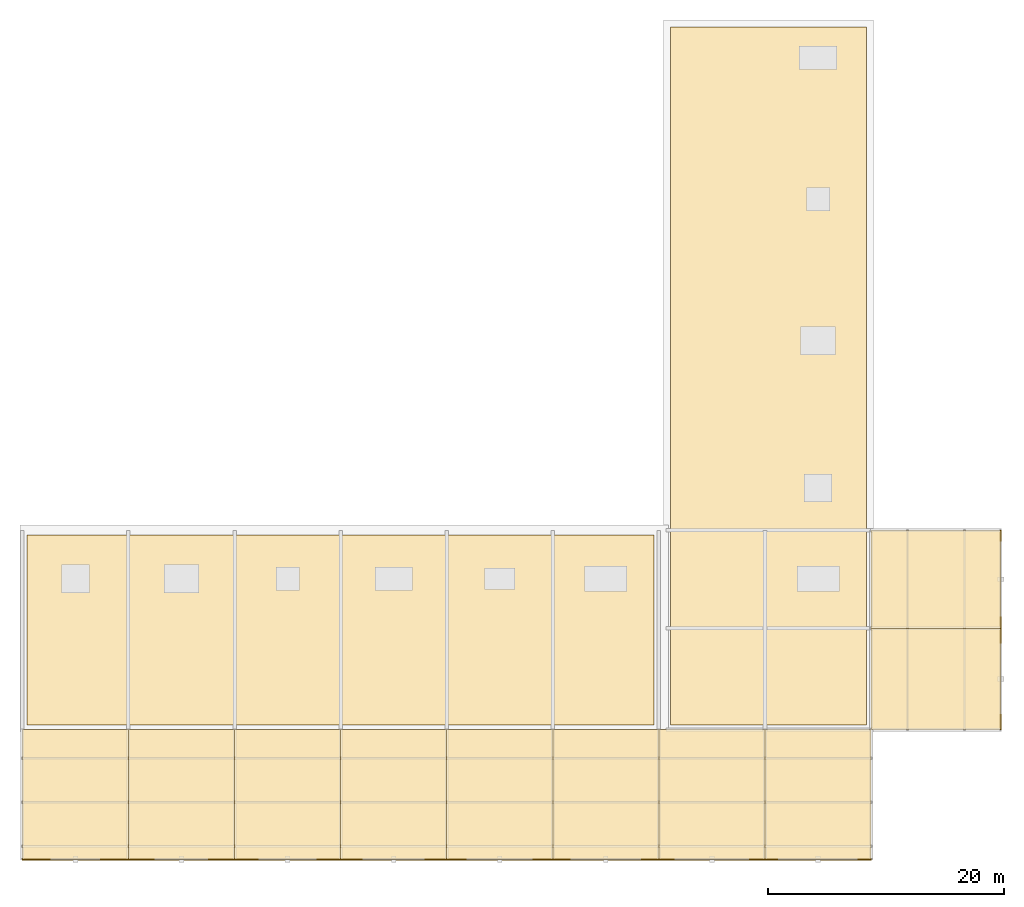
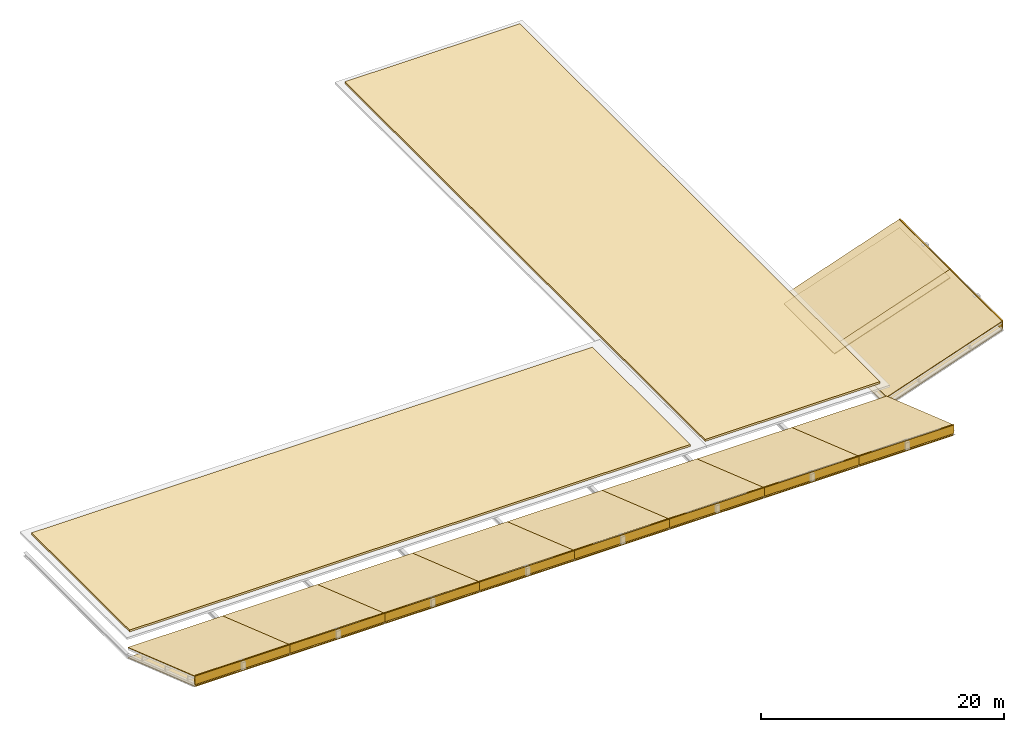
# One storey, part 3 of 3: 42 coverings.
"""IFC4 building model written with IfcOpenShell, lengths in metres."""

import ifcopenshell
import ifcopenshell.guid

model = None  # the IFC model being written
_history = None  # IfcOwnerHistory: only IFC2X3 demands one
_inside = {}  # id of a spatial element -> (the spatial element, [elements in it])
_under = {}  # id of a project, library or spatial element -> (it, [spatial elements below it])
_declared = {}  # id of a project -> (the project, [libraries it declares])
_typed = {}  # id of a type object -> (the type object, [elements of that type])
_made_of = {}  # id of a material, layer set ... -> (it, [elements and type objects made of it])


def new_model(schema):
    """Start an empty IFC model of exactly this schema.

    Asked for "IFC4X3", IfcOpenShell would pick the latest addendum, in which some entities
    have other attributes; the version numbers below select the first issue.
    IFC2X3 requires an IfcOwnerHistory on every rooted entity: one is made here for all.
    """
    global model, _history
    if schema == "IFC4X3":
        model = ifcopenshell.file(schema_version=(4, 3, 0, 0))
    else:
        model = ifcopenshell.file(schema=schema)
    _inside.clear()
    _under.clear()
    _declared.clear()
    _typed.clear()
    _made_of.clear()
    _history = None
    if model.schema == "IFC2X3":
        org = make("IfcOrganization", Name="unknown")
        user = make(
            "IfcPersonAndOrganization",
            ThePerson=make("IfcPerson", FamilyName="unknown"),
            TheOrganization=org,
        )
        app = make(
            "IfcApplication",
            ApplicationDeveloper=org,
            Version="unknown",
            ApplicationFullName="unknown",
            ApplicationIdentifier="unknown",
        )
        _history = make(
            "IfcOwnerHistory",
            OwningUser=user,
            OwningApplication=app,
            ChangeAction="ADDED",
            CreationDate=0,
        )
    return model


def make(cls, **values):
    """One entity of the class cls with the attributes given. An attribute that is None is left unset."""
    return model.create_entity(
        cls, **{name: value for name, value in values.items() if value is not None}
    )


def rooted(cls, **values):
    """An entity with a GlobalId (a new one), such as an element, a storey or a relation."""
    return make(cls, GlobalId=ifcopenshell.guid.new(), OwnerHistory=_history, **values)


def si_unit(unit_type, name, prefix=None):
    """IfcSIUnit, for example si_unit("LENGTHUNIT", "METRE", prefix="MILLI")."""
    return make("IfcSIUnit", UnitType=unit_type, Prefix=prefix, Name=name)


def assignment(units):
    """IfcUnitAssignment: the units of a project."""
    return None if units is None else make("IfcUnitAssignment", Units=units)


def point(xyz):
    """IfcCartesianPoint."""
    return None if xyz is None else make("IfcCartesianPoint", Coordinates=xyz)


def direction(xyz):
    """IfcDirection."""
    return None if xyz is None else make("IfcDirection", DirectionRatios=xyz)


def frame(location, z_axis=None, x_axis=None):
    """IfcAxis2Placement3D, a coordinate frame: its origin and axes. An axis left out is left unset."""
    return make(
        "IfcAxis2Placement3D",
        Location=point(location),
        Axis=direction(z_axis),
        RefDirection=direction(x_axis),
    )


def frame_2d(location, x_axis=None):
    """IfcAxis2Placement2D, a coordinate frame in the plane: its origin and x axis."""
    return make(
        "IfcAxis2Placement2D", Location=point(location), RefDirection=direction(x_axis)
    )


def origin():
    """The frame at (0, 0, 0) with its axes left unset."""
    return frame((0.0, 0.0, 0.0))


def origin_2d():
    """The frame at (0, 0) in the plane with its x axis left unset."""
    return frame_2d((0.0, 0.0))


def place(relative_to, where):
    """IfcLocalPlacement: puts the frame where relative to a parent placement (None: the world)."""
    return make(
        "IfcLocalPlacement", PlacementRelTo=relative_to, RelativePlacement=where
    )


def context(
    kind, dimensions, precision=None, world=None, true_north=None, identifier=None
):
    """IfcGeometricRepresentationContext, for example the 3D "Model" context."""
    return make(
        "IfcGeometricRepresentationContext",
        ContextIdentifier=identifier,
        ContextType=kind,
        CoordinateSpaceDimension=dimensions,
        Precision=precision,
        WorldCoordinateSystem=world,
        TrueNorth=true_north,
    )


def subcontext(parent, identifier, kind, view, scale=None):
    """IfcGeometricRepresentationSubContext, for example "Body" below "Model"."""
    return make(
        "IfcGeometricRepresentationSubContext",
        ContextIdentifier=identifier,
        ContextType=kind,
        ParentContext=parent,
        TargetScale=scale,
        TargetView=view,
    )


def project(units=None, contexts=None):
    """IfcProject with its units and contexts."""
    return rooted(
        "IfcProject",
        Name="project",
        RepresentationContexts=contexts,
        UnitsInContext=assignment(units),
    )


def spatial(cls, under=None, at=None, **own):
    """A site, building, storey or space (cls), placed at a placement, below another one or the project."""
    s = rooted(cls, ObjectPlacement=at, **own)
    if under is not None:
        _under.setdefault(under.id(), (under, []))[1].append(s)
    return s


def polyline(points):
    """IfcPolyline through the points."""
    return make("IfcPolyline", Points=[point(p) for p in points])


def profile(cls, at=None, kind="AREA", **sizes):
    """A parametric profile (cls). Its sizes go by their IFC names, for example OverallWidth=200.0."""
    return make(cls, ProfileType=kind, Position=at, **sizes)


def rectangle(**sizes):
    """IfcRectangleProfileDef."""
    return profile("IfcRectangleProfileDef", **sizes)


def outline(outer, holes=None, kind="AREA"):
    """IfcArbitraryClosedProfileDef: a profile drawn as a closed curve; with holes, ...WithVoids."""
    if holes is None:
        return make("IfcArbitraryClosedProfileDef", ProfileType=kind, OuterCurve=outer)
    return make(
        "IfcArbitraryProfileDefWithVoids",
        ProfileType=kind,
        OuterCurve=outer,
        InnerCurves=holes,
    )


def extrude(swept, where, along, depth):
    """IfcExtrudedAreaSolid: the profile swept, set in the frame where, extruded along a direction by depth."""
    return make(
        "IfcExtrudedAreaSolid",
        SweptArea=swept,
        Position=where,
        ExtrudedDirection=direction(along),
        Depth=depth,
    )


def shape(context_of_items, identifier, shape_type, items):
    """IfcShapeRepresentation: the items that make up one representation, for example the "Body"."""
    return make(
        "IfcShapeRepresentation",
        ContextOfItems=context_of_items,
        RepresentationIdentifier=identifier,
        RepresentationType=shape_type,
        Items=items,
    )


def material(Name=None, Category=None):
    """IfcMaterial."""
    return make("IfcMaterial", Name=Name, Category=Category)


def layer(
    of_material, thickness, ventilated=None, Name=None, Category=None, Priority=None
):
    """IfcMaterialLayer: one layer of a wall or slab, of a material (None: an air gap)."""
    return make(
        "IfcMaterialLayer",
        Material=of_material,
        LayerThickness=thickness,
        IsVentilated=ventilated,
        Name=Name,
        Category=Category,
        Priority=Priority,
    )


def layer_set(layers, Name=None):
    """IfcMaterialLayerSet."""
    return make("IfcMaterialLayerSet", MaterialLayers=layers, LayerSetName=Name)


def made_of(thing, what):
    """Note that an element or type object is made of a material, layer set ...; save() writes the relation."""
    if what is not None:
        _made_of.setdefault(what.id(), (what, []))[1].append(thing)
    return thing


def type_object(cls, material=None, **own):
    """A type object (cls), such as IfcWallType, which elements share."""
    return made_of(rooted(cls, **own), material)


def element(
    cls,
    number,
    at=None,
    inside=None,
    cuts=None,
    type_object=None,
    material=None,
    context=None,
    identifier="Body",
    shape_type=None,
    held_by="IfcProductDefinitionShape",
    body=None,
    shapes=None,
    **own,
):
    """One element of the class cls, such as IfcWall. Its Tag is "e" and its number.

    at: its placement. inside: the storey or other place that contains it. cuts: it is an
    opening in that element (IfcRelVoidsElement). A single representation is given by context,
    identifier, shape_type and body (its items); several are given by shapes. held_by: the class
    of the entity that holds the representations. save() writes the other relations.
    """
    e = rooted(cls, Tag="e%d" % number, ObjectPlacement=at, **own)
    if body is not None:
        shapes = [shape(context, identifier, shape_type, body)]
    if shapes is not None:
        e.Representation = make(held_by, Representations=shapes)
    if inside is not None:
        _inside.setdefault(inside.id(), (inside, []))[1].append(e)
    if cuts is not None:
        rooted(
            "IfcRelVoidsElement", RelatingBuildingElement=cuts, RelatedOpeningElement=e
        )
    if type_object is not None:
        _typed.setdefault(type_object.id(), (type_object, []))[1].append(e)
    return made_of(e, material)


def aggregate(whole, parts):
    """IfcRelAggregates: a whole, such as a stair, and the parts it consists of."""
    return rooted("IfcRelAggregates", RelatingObject=whole, RelatedObjects=parts)


def save(model, path):
    """Write the relations noted so far, then the file.

    IfcRelAggregates (storeys below a building ...), IfcRelContainedInSpatialStructure (elements
    in a storey), IfcRelDefinesByType, IfcRelAssociatesMaterial and IfcRelDeclares: one each for
    every whole, place, type object, material and project.
    """
    for whole, parts in _under.values():
        aggregate(whole, parts)
    for where, things in _inside.values():
        rooted(
            "IfcRelContainedInSpatialStructure",
            RelatedElements=things,
            RelatingStructure=where,
        )
    for kind, things in _typed.values():
        rooted("IfcRelDefinesByType", RelatedObjects=things, RelatingType=kind)
    for what, things in _made_of.values():
        rooted("IfcRelAssociatesMaterial", RelatedObjects=things, RelatingMaterial=what)
    for by, libraries in _declared.values():
        rooted("IfcRelDeclares", RelatingContext=by, RelatedDefinitions=libraries)
    model.write(path)


model = new_model("IFC4")

# Units and contexts
model_context = context("Model", 3, precision=1e-05, world=origin(), true_north=direction((0.0, 1.0)))
body_context = subcontext(model_context, "Body", "Model", "MODEL_VIEW")
ifc_project = project(units=[si_unit("LENGTHUNIT", "METRE"), si_unit("AREAUNIT", "SQUARE_METRE"), si_unit("VOLUMEUNIT", "CUBIC_METRE"), si_unit("PLANEANGLEUNIT", "RADIAN"), si_unit("MASSUNIT", "GRAM", prefix="KILO")], contexts=[model_context])

# Site, building, storey
site_placement = place(None, origin())
site = spatial("IfcSite", under=ifc_project, at=site_placement, CompositionType="ELEMENT")
building_placement = place(site_placement, origin())
building = spatial("IfcBuilding", under=site, at=building_placement, Name="Kaldris Quays Convention Centre", CompositionType="ELEMENT")
storey_placement = place(building_placement, frame((0.0, 0.0, 26.39990234375)))
storey = spatial("IfcBuildingStorey", under=building, at=storey_placement, Name="RF", CompositionType="ELEMENT", Elevation=26.39990234375)

# Coverings
ifc_material_1 = material(Name="Alabaster white star-pierced anodized aluminium panel", Category="aluminium")
ifc_layer_1 = layer(ifc_material_1, 0.054931640625)
ifc_layer_set_1 = layer_set([ifc_layer_1], Name="Alabaster white star-pierced anodized aluminium panel")
covering_type_1 = type_object("IfcCoveringType", Name="ALABASTER WHITE STANDING SEAM ROOF SRF1", PredefinedType="ROOFING", material=ifc_layer_set_1)
for number, where, z_axis, x_axis, name in (
    (1, (92.0, 27.0, 2.64306640625), (0.0, 0.325567686474, 0.945518736739), (1.0, 0.0, 0.0), "WR-SOUTH-CROWN Alabaster White Raised Wing Top Cladding 2"),
    (2, (101.0, 27.0, 2.64306640625), (0.0, 0.325567686474, 0.945518736739), (1.0, 0.0, 0.0), "WR-SOUTH-CROWN Alabaster White Raised Wing Top Cladding 3"),
    (3, (110.0, 27.0, 2.64306640625), (0.0, 0.325567686474, 0.945518736739), (1.0, 0.0, 0.0), "WR-SOUTH-CROWN Alabaster White Raised Wing Top Cladding 4"),
    (4, (119.0, 27.0, 2.64306640625), (0.0, 0.325567686474, 0.945518736739), (1.0, 0.0, 0.0), "WR-SOUTH-CROWN Alabaster White Raised Wing Top Cladding 5"),
    (5, (128.0, 27.0, 2.64306640625), (0.0, 0.325567686474, 0.945518736739), (1.0, 0.0, 0.0), "WR-SOUTH-CROWN Alabaster White Raised Wing Top Cladding 6"),
    (6, (137.0, 27.0, 2.64306640625), (0.0, 0.325567686474, 0.945518736739), (1.0, 0.0, 0.0), "WR-SOUTH-CROWN Alabaster White Raised Wing Top Cladding 7"),
    (7, (146.0, 27.0, 2.64306640625), (0.0, 0.325567686474, 0.945518736739), (1.0, 0.0, 0.0), "WR-SOUTH-CROWN Alabaster White Raised Wing Top Cladding 8"),
    (8, (155.0, 27.0, 2.64306640625), (0.0, 0.325567686474, 0.945518736739), (1.0, 0.0, 0.0), "WR-SOUTH-CROWN Alabaster White Raised Wing Top Cladding 9"),
):
    element("IfcCovering", number, at=place(storey_placement, frame(where, z_axis=z_axis, x_axis=x_axis)), inside=storey, type_object=covering_type_1, Name=name, PredefinedType="ROOFING", context=body_context, shape_type="SweptSolid", body=[
        extrude(outline(polyline([(0.0, 0.0), (9.0, 0.0), (9.0, 11.633825510365472), (0.0, 11.633825510365472), (0.0, 0.0)])), origin(), (0.0, 0.0, -1.0), 0.054931640625),
    ])
covering_1_placement = place(storey_placement, frame((164.0, 38.0, -1.254638671875), z_axis=(-0.325567686474, 0.0, 0.945518736739), x_axis=(0.945518736739, 0.0, 0.325567686474)))
element("IfcCovering", 9, at=covering_1_placement, inside=storey, type_object=covering_type_1, Name="WR-EAST Alabaster White Raised Wing Top Cladding 17", PredefinedType="ROOFING", context=body_context, shape_type="SweptSolid", body=[
    extrude(outline(polyline([(0.0, 0.0), (11.633825510365476, 0.0), (11.633825510365476, 8.600097656250002), (0.0, 8.600097656250002), (0.0, 0.0)])), origin(), (0.0, 0.0, -1.0), 0.054931640625),
])
covering_2_placement = place(storey_placement, frame((164.0, 46.60009765625, -1.254638671875), z_axis=(-0.325567686474, 0.0, 0.945518736739), x_axis=(0.945518736739, 0.0, 0.325567686474)))
element("IfcCovering", 10, at=covering_2_placement, inside=storey, type_object=covering_type_1, Name="WR-EAST Alabaster White Raised Wing Top Cladding 18", PredefinedType="ROOFING", context=body_context, shape_type="SweptSolid", body=[
    extrude(outline(polyline([(0.0, 0.0), (11.633825510365476, 0.0), (11.633825510365476, 8.2998046875), (0.0, 8.2998046875), (0.0, 0.0)])), origin(), (0.0, 0.0, -1.0), 0.054931640625),
])
ifc_material_2 = material(Name="Planted Basler Dachsubstrat mineral green roof", Category="earth")
ifc_layer_2 = layer(ifc_material_2, 0.199951171875)
ifc_layer_set_2 = layer_set([ifc_layer_2], Name="Planted Basler Dachsubstrat mineral green roof")
covering_type_2 = type_object("IfcCoveringType", Name="BASEL NATIVE GREEN ROOF SUBSTRATE GRF1", PredefinedType="ROOFING", material=ifc_layer_set_2)
covering_3_placement = place(storey_placement, origin())
element("IfcCovering", 11, at=covering_3_placement, inside=storey, type_object=covering_type_2, Name="RF Basler Dachsubstrat Green Roof 5", PredefinedType="ROOFING", context=body_context, shape_type="SweptSolid", body=[
    extrude(outline(polyline([(92.39990234375, 38.39990234375), (145.60009765625, 38.39990234375), (145.60009765625, 54.5), (92.39990234375, 54.5), (92.39990234375, 38.39990234375)])), origin(), (0.0, 0.0, 1.0), 0.2001953125),
])
covering_4_placement = place(storey_placement, origin())
element("IfcCovering", 12, at=covering_4_placement, inside=storey, type_object=covering_type_2, Name="RF Basler Dachsubstrat Green Roof 6", PredefinedType="ROOFING", context=body_context, shape_type="SweptSolid", body=[
    extrude(outline(polyline([(147.0, 38.39990234375), (163.60009765625, 38.39990234375), (163.60009765625, 97.60009765625), (147.0, 97.60009765625), (147.0, 38.39990234375)])), origin(), (0.0, 0.0, 1.0), 0.2001953125),
])
ifc_material_3 = material(Name="Glulam GL28h", Category="wood")
ifc_layer_3 = layer(ifc_material_3, 0.0400390625)
ifc_layer_set_3 = layer_set([ifc_layer_3], Name="Glulam GL28h")
covering_type_3 = type_object("IfcCoveringType", Name="GLULAM WING SOFFIT TRIM SF02", PredefinedType="CEILING", material=ifc_layer_set_3)
for number, where, z_axis, x_axis, name in (
    (13, (92.0, 27.0, 1.6005859375), (0.0, 0.325567686474, 0.945518736739), (1.0, 0.0, 0.0), "WR-SOUTH-CROWN Glulam GL28h Wing Soffit Trim 2"),
    (14, (101.0, 27.0, 1.6005859375), (0.0, 0.325567686474, 0.945518736739), (1.0, 0.0, 0.0), "WR-SOUTH-CROWN Glulam GL28h Wing Soffit Trim 3"),
    (15, (110.0, 27.0, 1.6005859375), (0.0, 0.325567686474, 0.945518736739), (1.0, 0.0, 0.0), "WR-SOUTH-CROWN Glulam GL28h Wing Soffit Trim 4"),
    (16, (119.0, 27.0, 1.6005859375), (0.0, 0.325567686474, 0.945518736739), (1.0, 0.0, 0.0), "WR-SOUTH-CROWN Glulam GL28h Wing Soffit Trim 5"),
    (17, (128.0, 27.0, 1.6005859375), (0.0, 0.325567686474, 0.945518736739), (1.0, 0.0, 0.0), "WR-SOUTH-CROWN Glulam GL28h Wing Soffit Trim 6"),
    (18, (137.0, 27.0, 1.6005859375), (0.0, 0.325567686474, 0.945518736739), (1.0, 0.0, 0.0), "WR-SOUTH-CROWN Glulam GL28h Wing Soffit Trim 7"),
    (19, (146.0, 27.0, 1.6005859375), (0.0, 0.325567686474, 0.945518736739), (1.0, 0.0, 0.0), "WR-SOUTH-CROWN Glulam GL28h Wing Soffit Trim 8"),
    (20, (155.0, 27.0, 1.6005859375), (0.0, 0.325567686474, 0.945518736739), (1.0, 0.0, 0.0), "WR-SOUTH-CROWN Glulam GL28h Wing Soffit Trim 9"),
):
    element("IfcCovering", number, at=place(storey_placement, frame(where, z_axis=z_axis, x_axis=x_axis)), inside=storey, type_object=covering_type_3, Name=name, PredefinedType="CEILING", context=body_context, shape_type="SweptSolid", body=[
        extrude(outline(polyline([(0.0, 0.0), (9.0, 0.0), (9.0, 11.633825510365472), (0.0, 11.633825510365472), (0.0, 0.0)])), origin(), (0.0, 0.0, -1.0), 0.0400390625),
    ])
covering_5_placement = place(storey_placement, frame((164.0, 38.0, -2.156982421875), z_axis=(-0.325567686474, 0.0, 0.945518736739), x_axis=(0.945518736739, 0.0, 0.325567686474)))
element("IfcCovering", 21, at=covering_5_placement, inside=storey, type_object=covering_type_3, Name="WR-EAST Glulam GL28h Wing Soffit Trim 17", PredefinedType="CEILING", context=body_context, shape_type="SweptSolid", body=[
    extrude(outline(polyline([(0.0, 0.0), (11.633825510365476, 0.0), (11.633825510365476, 8.600097656250002), (0.0, 8.600097656250002), (0.0, 0.0)])), origin(), (0.0, 0.0, -1.0), 0.0400390625),
])
covering_6_placement = place(storey_placement, frame((164.0, 46.60009765625, -2.156982421875), z_axis=(-0.325567686474, 0.0, 0.945518736739), x_axis=(0.945518736739, 0.0, 0.325567686474)))
element("IfcCovering", 22, at=covering_6_placement, inside=storey, type_object=covering_type_3, Name="WR-EAST Glulam GL28h Wing Soffit Trim 18", PredefinedType="CEILING", context=body_context, shape_type="SweptSolid", body=[
    extrude(outline(polyline([(0.0, 0.0), (11.633825510365476, 0.0), (11.633825510365476, 8.2998046875), (0.0, 8.2998046875), (0.0, 0.0)])), origin(), (0.0, 0.0, -1.0), 0.0400390625),
])
ifc_layer_4 = layer(ifc_material_1, 0.044921875)
ifc_layer_set_4 = layer_set([ifc_layer_4], Name="Alabaster white star-pierced anodized aluminium panel")
covering_type_4 = type_object("IfcCoveringType", Name="STAR PIERCED WHITE FOLDED SCREEN CL01", PredefinedType="CLADDING", material=ifc_layer_set_4)
for number, where, z_axis, x_axis, name in (
    (23, (96.5, 27.0, 1.81298828125), (0.0, 0.0, 1.0), (1.0, 0.0, 0.0), "WR-SOUTH-CROWN Alabaster White Wing Leading Fascia 2"),
    (24, (105.5, 27.0, 1.81298828125), (0.0, 0.0, 1.0), (1.0, 0.0, 0.0), "WR-SOUTH-CROWN Alabaster White Wing Leading Fascia 3"),
    (25, (114.5, 27.0, 1.81298828125), (0.0, 0.0, 1.0), (1.0, 0.0, 0.0), "WR-SOUTH-CROWN Alabaster White Wing Leading Fascia 4"),
    (26, (123.5, 27.0, 1.81298828125), (0.0, 0.0, 1.0), (1.0, 0.0, 0.0), "WR-SOUTH-CROWN Alabaster White Wing Leading Fascia 5"),
    (27, (132.5, 27.0, 1.81298828125), (0.0, 0.0, 1.0), (1.0, 0.0, 0.0), "WR-SOUTH-CROWN Alabaster White Wing Leading Fascia 6"),
    (28, (141.5, 27.0, 1.81298828125), (0.0, 0.0, 1.0), (1.0, 0.0, 0.0), "WR-SOUTH-CROWN Alabaster White Wing Leading Fascia 7"),
    (29, (150.5, 27.0, 1.81298828125), (0.0, 0.0, 1.0), (1.0, 0.0, 0.0), "WR-SOUTH-CROWN Alabaster White Wing Leading Fascia 8"),
    (30, (159.5, 27.0, 1.81298828125), (0.0, 0.0, 1.0), (1.0, 0.0, 0.0), "WR-SOUTH-CROWN Alabaster White Wing Leading Fascia 9"),
):
    element("IfcCovering", number, at=place(storey_placement, frame(where, z_axis=z_axis, x_axis=x_axis)), inside=storey, type_object=covering_type_4, Name=name, PredefinedType="CLADDING", context=body_context, shape_type="SweptSolid", body=[
        extrude(rectangle(XDim=9.0, YDim=0.1201171875, at=origin_2d()), origin(), (0.0, 0.0, 1.0), 0.85009765625),
    ])
covering_7_placement = place(storey_placement, frame((175.0, 42.300048828125, 1.702880859375), z_axis=(0.0, 0.0, 1.0), x_axis=(0.0, 1.0, 0.0)))
element("IfcCovering", 31, at=covering_7_placement, inside=storey, type_object=covering_type_4, Name="WR-EAST Alabaster White Wing Leading Fascia 17", PredefinedType="CLADDING", context=body_context, shape_type="SweptSolid", body=[
    extrude(rectangle(XDim=8.60009765625, YDim=0.1201171875, at=origin_2d()), origin(), (0.0, 0.0, 1.0), 0.85009765625),
])
covering_8_placement = place(storey_placement, frame((175.0, 50.75, 1.702880859375), z_axis=(0.0, 0.0, 1.0), x_axis=(0.0, 1.0, 0.0)))
element("IfcCovering", 32, at=covering_8_placement, inside=storey, type_object=covering_type_4, Name="WR-EAST Alabaster White Wing Leading Fascia 18", PredefinedType="CLADDING", context=body_context, shape_type="SweptSolid", body=[
    extrude(rectangle(XDim=8.300048828125, YDim=0.1201171875, at=origin_2d()), origin(), (0.0, 0.0, 1.0), 0.85009765625),
])
ifc_layer_5 = layer(ifc_material_1, 0.034912109375)
ifc_layer_set_5 = layer_set([ifc_layer_5], Name="Alabaster white star-pierced anodized aluminium panel")
covering_type_5 = type_object("IfcCoveringType", Name="STAR PIERCED WHITE WING SOFFIT SF01", PredefinedType="CEILING", material=ifc_layer_set_5)
for number, where, z_axis, x_axis, name in (
    (33, (92.0, 27.0, 1.645751953125), (0.0, 0.325567686474, 0.945518736739), (1.0, 0.0, 0.0), "WR-SOUTH-CROWN Star-Pierced White Wing Soffit 2"),
    (34, (101.0, 27.0, 1.645751953125), (0.0, 0.325567686474, 0.945518736739), (1.0, 0.0, 0.0), "WR-SOUTH-CROWN Star-Pierced White Wing Soffit 3"),
    (35, (110.0, 27.0, 1.645751953125), (0.0, 0.325567686474, 0.945518736739), (1.0, 0.0, 0.0), "WR-SOUTH-CROWN Star-Pierced White Wing Soffit 4"),
    (36, (119.0, 27.0, 1.645751953125), (0.0, 0.325567686474, 0.945518736739), (1.0, 0.0, 0.0), "WR-SOUTH-CROWN Star-Pierced White Wing Soffit 5"),
    (37, (128.0, 27.0, 1.645751953125), (0.0, 0.325567686474, 0.945518736739), (1.0, 0.0, 0.0), "WR-SOUTH-CROWN Star-Pierced White Wing Soffit 6"),
    (38, (137.0, 27.0, 1.645751953125), (0.0, 0.325567686474, 0.945518736739), (1.0, 0.0, 0.0), "WR-SOUTH-CROWN Star-Pierced White Wing Soffit 7"),
    (39, (146.0, 27.0, 1.645751953125), (0.0, 0.325567686474, 0.945518736739), (1.0, 0.0, 0.0), "WR-SOUTH-CROWN Star-Pierced White Wing Soffit 8"),
    (40, (155.0, 27.0, 1.645751953125), (0.0, 0.325567686474, 0.945518736739), (1.0, 0.0, 0.0), "WR-SOUTH-CROWN Star-Pierced White Wing Soffit 9"),
):
    element("IfcCovering", number, at=place(storey_placement, frame(where, z_axis=z_axis, x_axis=x_axis)), inside=storey, type_object=covering_type_5, Name=name, PredefinedType="CEILING", context=body_context, shape_type="SweptSolid", body=[
        extrude(outline(polyline([(0.0, 0.0), (9.0, 0.0), (9.0, 11.633825510365472), (0.0, 11.633825510365472), (0.0, 0.0)])), origin(), (0.0, 0.0, -1.0), 0.044921875),
    ])
covering_9_placement = place(storey_placement, frame((164.0, 38.0, -2.11181640625), z_axis=(-0.325567686474, 0.0, 0.945518736739), x_axis=(0.945518736739, 0.0, 0.325567686474)))
element("IfcCovering", 41, at=covering_9_placement, inside=storey, type_object=covering_type_5, Name="WR-EAST Star-Pierced White Wing Soffit 17", PredefinedType="CEILING", context=body_context, shape_type="SweptSolid", body=[
    extrude(outline(polyline([(0.0, 0.0), (11.633825510365476, 0.0), (11.633825510365476, 8.600097656250002), (0.0, 8.600097656250002), (0.0, 0.0)])), origin(), (0.0, 0.0, -1.0), 0.044921875),
])
covering_10_placement = place(storey_placement, frame((164.0, 46.60009765625, -2.11181640625), z_axis=(-0.325567686474, 0.0, 0.945518736739), x_axis=(0.945518736739, 0.0, 0.325567686474)))
element("IfcCovering", 42, at=covering_10_placement, inside=storey, type_object=covering_type_5, Name="WR-EAST Star-Pierced White Wing Soffit 18", PredefinedType="CEILING", context=body_context, shape_type="SweptSolid", body=[
    extrude(outline(polyline([(0.0, 0.0), (11.633825510365476, 0.0), (11.633825510365476, 8.2998046875), (0.0, 8.2998046875), (0.0, 0.0)])), origin(), (0.0, 0.0, -1.0), 0.044921875),
])

save(model, "model.ifc")
